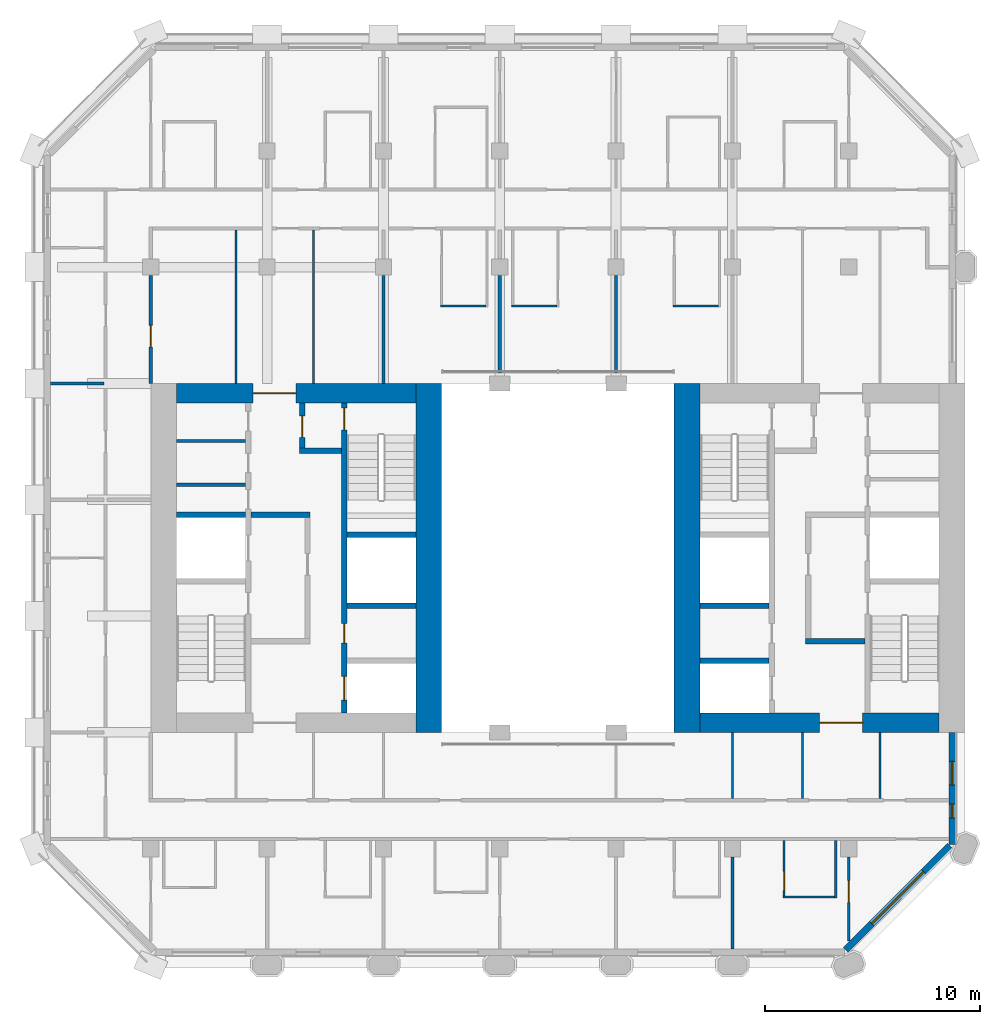
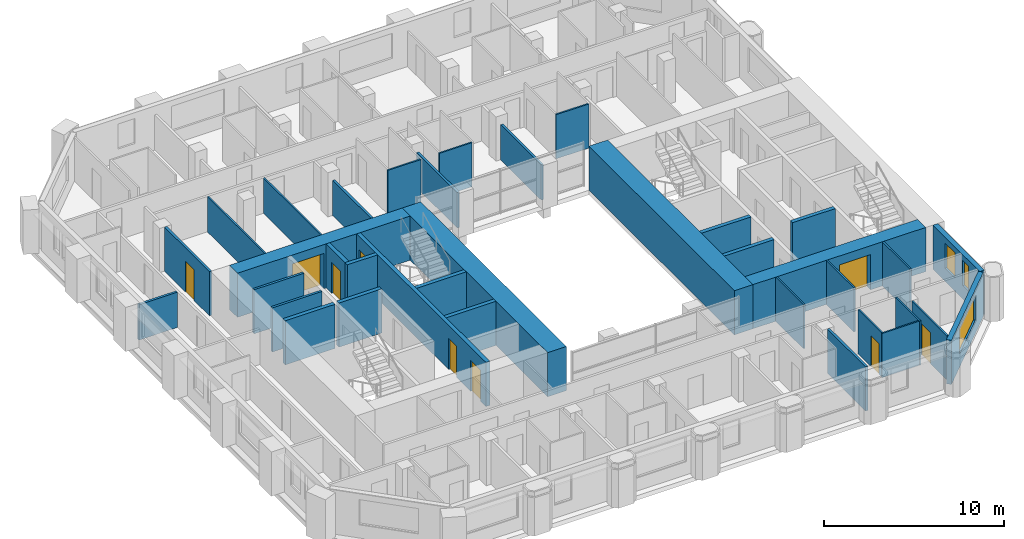
# One storey, part 8 of 13: 36 walls, 9 doors, 3 windows, 12 openings.
"""IFC4 building model written with IfcOpenShell, lengths in metres."""

from ifc_helpers import new_model, si_unit, direction, frame, frame_2d, origin, place, context, subcontext, project, spatial, rectangle, extrude, material, layer, layer_set, type_object, element, fill, save


model = new_model("IFC4")

# Units and contexts
model_context = context("Model", 3, precision=1e-05, world=origin(), true_north=direction((0.0, 1.0)))
body_context = subcontext(model_context, "Body", "Model", "MODEL_VIEW")
ifc_project = project(units=[si_unit("LENGTHUNIT", "METRE"), si_unit("AREAUNIT", "SQUARE_METRE"), si_unit("VOLUMEUNIT", "CUBIC_METRE"), si_unit("PLANEANGLEUNIT", "RADIAN"), si_unit("MASSUNIT", "GRAM", prefix="KILO")], contexts=[model_context])

# Site, building, storey
site_placement = place(None, origin())
site = spatial("IfcSite", under=ifc_project, at=site_placement, CompositionType="ELEMENT")
building_placement = place(site_placement, origin())
building = spatial("IfcBuilding", under=site, at=building_placement, Name="Tabaq Tower and Sports Hall", CompositionType="ELEMENT")
storey_placement = place(building_placement, frame((0.0, 0.0, 220.300048828125)))
storey = spatial("IfcBuildingStorey", under=building, at=storey_placement, Name="L55", CompositionType="ELEMENT", Elevation=220.300048828125)

# Walls
ifc_material_1 = material(Name="Blockwork", Category="masonry")
ifc_layer_1 = layer(ifc_material_1, 0.14990234375)
ifc_layer_set_1 = layer_set([ifc_layer_1], Name="Core room partition 150 Blockwork")
wall_type_1 = type_object("IfcWallType", Name="Core room partition 150 Blockwork", PredefinedType="PARTITIONING", material=ifc_layer_set_1)
for number, where, z_axis, x_axis, name in (
    (1, (6.60009765625, 27.694091796875, 0.0), (0.0, 0.0, 1.0), (1.0, 0.0, 0.0), "Core room partition W L55"),
    (2, (6.60009765625, 29.72412109375, 0.0), (0.0, 0.0, 1.0), (1.0, 0.0, 0.0), "Core room partition W L55"),
):
    element("IfcWall", number, at=place(storey_placement, frame(where, z_axis=z_axis, x_axis=x_axis)), inside=storey, type_object=wall_type_1, Name=name, PredefinedType="PARTITIONING", context=body_context, shape_type="SweptSolid", body=[
        extrude(rectangle(XDim=3.199951171875, YDim=0.14990234375, at=frame_2d((1.60009765625, 0.0))), origin(), (0.0, 0.0, 1.0), 3.0),
    ])
ifc_material_2 = material(Name="Concrete C50/60", Category="concrete")
ifc_layer_2 = layer(ifc_material_2, 1.199951171875)
ifc_layer_set_2 = layer_set([ifc_layer_2], Name="Core wall 1200 Concrete C50/60")
wall_type_2 = type_object("IfcWallType", Name="Core wall 1200 Concrete C50/60", PredefinedType="SOLIDWALL", material=ifc_layer_set_2)
for number, where, z_axis, x_axis, name in (
    (3, (18.300048828125, 32.39990234375, 0.0), (0.0, 0.0, 1.0), (0.0, -1.0, 0.0), "Core wall W L55"),
    (4, (30.300048828125, 16.199951171875, 0.0), (0.0, 0.0, 1.0), (0.0, 1.0, 0.0), "Core wall E L55"),
):
    element("IfcWall", number, at=place(storey_placement, frame(where, z_axis=z_axis, x_axis=x_axis)), inside=storey, type_object=wall_type_2, Name=name, PredefinedType="SOLIDWALL", context=body_context, shape_type="SweptSolid", body=[
        extrude(rectangle(XDim=16.199951171875, YDim=1.199951171875, at=frame_2d((8.10009765625, 0.0))), origin(), (0.0, 0.0, 1.0), 3.0),
    ])

# Wall, opening, door
ifc_material_3 = material(Name="Concrete C50/60", Category="concrete")
ifc_layer_3 = layer(ifc_material_3, 0.89990234375)
ifc_layer_set_3 = layer_set([ifc_layer_3], Name="Core wall 900 Concrete C50/60")
wall_type_3 = type_object("IfcWallType", Name="Core wall 900 Concrete C50/60", PredefinedType="SOLIDWALL", material=ifc_layer_set_3)
wall_1_placement = place(storey_placement, frame((6.60009765625, 31.949951171875, 0.0), z_axis=(0.0, 0.0, 1.0), x_axis=(1.0, 0.0, 0.0)))
wall_1 = element("IfcWall", 5, at=wall_1_placement, inside=storey, type_object=wall_type_3, Name="Core wall W L55", PredefinedType="SOLIDWALL", context=body_context, shape_type="SweptSolid", body=[
    extrude(rectangle(XDim=11.099853515625, YDim=0.89990234375, at=frame_2d((5.5498046875, 0.0))), origin(), (0.0, 0.0, 1.0), 3.0),
])
opening_1_placement = place(wall_1_placement, frame((3.550048828125, 0.0, 0.0)))
opening_1 = element("IfcOpeningElement", 6, at=opening_1_placement, cuts=wall_1, Name="Opening PD-WL55-02", PredefinedType="OPENING", context=body_context, shape_type="SweptSolid", body=[
    extrude(rectangle(XDim=2.0, YDim=2.39990234375, at=frame_2d((1.0, 1.199951171875))), frame((0.0, 0.449951171875, 0.0), z_axis=(0.0, -1.0, 0.0), x_axis=(1.0, 0.0, 0.0)), (0.0, 0.0, 1.0), 0.89990234375),
])
ifc_material_4 = material(Name="Steel fire door", Category="steel")
door_type_1 = type_object("IfcDoorType", Name="Core entrance door 2000", OperationType="DOUBLE_DOOR_SINGLE_SWING", PredefinedType="DOOR", material=ifc_material_4)
door_1_placement = place(opening_1_placement, origin())
door_1 = element("IfcDoor", 7, at=door_1_placement, inside=storey, type_object=door_type_1, Name="Core entrance north W L55", OperationType="DOUBLE_DOOR_SINGLE_SWING", OverallHeight=2.39990234375, OverallWidth=2.0, PredefinedType="DOOR", context=body_context, shape_type="SweptSolid", body=[
    extrude(rectangle(XDim=2.0, YDim=2.39990234375, at=frame_2d((1.0, 1.199951171875))), frame((0.0, 0.02490234375, 0.0), z_axis=(0.0, -1.0, 0.0), x_axis=(1.0, 0.0, 0.0)), (0.0, 0.0, 1.0), 0.050048828125),
])
fill(opening_1, door_1)

wall_2_placement = place(storey_placement, frame((42.0, 16.64990234375, 0.0), z_axis=(0.0, 0.0, 1.0), x_axis=(-1.0, 0.0, 0.0)))
wall_2 = element("IfcWall", 8, at=wall_2_placement, inside=storey, type_object=wall_type_3, Name="Core wall E L55", PredefinedType="SOLIDWALL", context=body_context, shape_type="SweptSolid", body=[
    extrude(rectangle(XDim=11.10009765625, YDim=0.89990234375, at=frame_2d((5.550048828125, 0.0))), origin(), (0.0, 0.0, 1.0), 3.0),
])
opening_2_placement = place(wall_2_placement, frame((3.550048828125, 0.0, 0.0)))
opening_2 = element("IfcOpeningElement", 9, at=opening_2_placement, cuts=wall_2, Name="Opening PD-EL55-01", PredefinedType="OPENING", context=body_context, shape_type="SweptSolid", body=[
    extrude(rectangle(XDim=2.0, YDim=2.39990234375, at=frame_2d((1.0, 1.199951171875))), frame((0.0, 0.449951171875, 0.0), z_axis=(0.0, -1.0, 0.0), x_axis=(1.0, 0.0, 0.0)), (0.0, 0.0, 1.0), 0.89990234375),
])
door_2_placement = place(opening_2_placement, origin())
door_2 = element("IfcDoor", 10, at=door_2_placement, inside=storey, type_object=door_type_1, Name="Core entrance south E L55", OperationType="DOUBLE_DOOR_SINGLE_SWING", OverallHeight=2.39990234375, OverallWidth=2.0, PredefinedType="DOOR", context=body_context, shape_type="SweptSolid", body=[
    extrude(rectangle(XDim=2.0, YDim=2.39990234375, at=frame_2d((1.0, 1.199951171875))), frame((0.0, 0.02490234375, 0.0), z_axis=(0.0, -1.0, 0.0), x_axis=(1.0, 0.0, 0.0)), (0.0, 0.0, 1.0), 0.050048828125),
])
fill(opening_2, door_2)

# Walls
ifc_material_5 = material(Name="Gypsum board on steel studs", Category="steel")
ifc_layer_4 = layer(ifc_material_5, 0.10009765625)
ifc_layer_set_4 = layer_set([ifc_layer_4], Name="Partition 100 Gypsum board")
wall_type_4 = type_object("IfcWallType", Name="Partition 100 Gypsum board", PredefinedType="PARTITIONING", material=ifc_layer_set_4)
for number, where, z_axis, x_axis, name in (
    (11, (31.75, 36.0, 0.0), (0.0, 0.0, 1.0), (-1.0, 0.0, 0.0), "Partition wall L55"),
    (12, (24.25, 36.0, 0.0), (0.0, 0.0, 1.0), (-1.0, 0.0, 0.0), "Partition wall L55"),
):
    element("IfcWall", number, at=place(storey_placement, frame(where, z_axis=z_axis, x_axis=x_axis)), inside=storey, type_object=wall_type_4, Name=name, PredefinedType="PARTITIONING", context=body_context, shape_type="SweptSolid", body=[
        extrude(rectangle(XDim=2.10009765625, YDim=0.10009765625, at=frame_2d((1.050048828125, 0.0))), origin(), (0.0, 0.0, 1.0), 3.0),
    ])
wall_3_placement = place(storey_placement, frame((20.949951171875, 36.0, 0.0), z_axis=(0.0, 0.0, 1.0), x_axis=(-1.0, 0.0, 0.0)))
element("IfcWall", 13, at=wall_3_placement, inside=storey, type_object=wall_type_4, Name="Partition wall L55", PredefinedType="PARTITIONING", context=body_context, shape_type="SweptSolid", body=[
    extrude(rectangle(XDim=2.099853515625, YDim=0.10009765625, at=frame_2d((1.0498046875, 0.0))), origin(), (0.0, 0.0, 1.0), 3.0),
])
for number, where, z_axis, x_axis, name in (
    (14, (12.949951171875, 32.39990234375, 0.0), (0.0, 0.0, 1.0), (0.0, 1.0, 0.0), "Partition wall L55"),
    (15, (9.35009765625, 39.52490234375, 0.0), (0.0, 0.0, 1.0), (0.0, -1.0, 0.0), "Partition wall L55"),
):
    element("IfcWall", number, at=place(storey_placement, frame(where, z_axis=z_axis, x_axis=x_axis)), inside=storey, type_object=wall_type_4, Name=name, PredefinedType="PARTITIONING", context=body_context, shape_type="SweptSolid", body=[
        extrude(rectangle(XDim=7.125, YDim=0.10009765625, at=frame_2d((3.5625, 0.0))), origin(), (0.0, 0.0, 1.0), 2.39990234375),
    ])

# Wall, opening, door
wall_4_placement = place(storey_placement, frame((37.800048828125, 6.51220703125, 0.0), z_axis=(0.0, 0.0, 1.0), x_axis=(0.0, 1.0, 0.0)))
wall_4 = element("IfcWall", 16, at=wall_4_placement, inside=storey, type_object=wall_type_4, Name="Partition wall L55", PredefinedType="PARTITIONING", context=body_context, shape_type="SweptSolid", body=[
    extrude(rectangle(XDim=3.892822265625, YDim=0.10009765625, at=frame_2d((1.9462890625, 0.0))), origin(), (0.0, 0.0, 1.0), 3.0),
])
opening_3_placement = place(wall_4_placement, frame((1.80029296875, 0.0, 0.0)))
opening_3 = element("IfcOpeningElement", 17, at=opening_3_placement, cuts=wall_4, Name="Opening L55-041", PredefinedType="OPENING", context=body_context, shape_type="SweptSolid", body=[
    extrude(rectangle(XDim=1.0, YDim=2.10009765625, at=frame_2d((0.5, 1.050048828125))), frame((0.0, 0.050048828125, 0.0), z_axis=(0.0, -1.0, 0.0), x_axis=(1.0, 0.0, 0.0)), (0.0, 0.0, 1.0), 0.10009765625),
])
ifc_material_6 = material(Name="Timber leaf in steel frame", Category="steel")
door_type_2 = type_object("IfcDoorType", Name="Internal door 1000 left hand", OperationType="SINGLE_SWING_LEFT", PredefinedType="DOOR", material=ifc_material_6)
door_3_placement = place(opening_3_placement, origin())
door_3 = element("IfcDoor", 18, at=door_3_placement, inside=storey, type_object=door_type_2, Name="Internal door L55-041", OperationType="SINGLE_SWING_LEFT", OverallHeight=2.10009765625, OverallWidth=1.0, PredefinedType="DOOR", context=body_context, shape_type="SweptSolid", body=[
    extrude(rectangle(XDim=1.0, YDim=2.10009765625, at=frame_2d((0.5, 1.050048828125))), frame((0.0, 0.02490234375, 0.0), z_axis=(0.0, -1.0, 0.0), x_axis=(1.0, 0.0, 0.0)), (0.0, 0.0, 1.0), 0.050048828125),
])
fill(opening_3, door_3)

# Walls
wall_5_placement = place(storey_placement, frame((37.199951171875, 11.175048828125, 0.0), z_axis=(0.0, 0.0, 1.0), x_axis=(0.0, -1.0, 0.0)))
element("IfcWall", 19, at=wall_5_placement, inside=storey, type_object=wall_type_4, Name="Partition wall L55", PredefinedType="PARTITIONING", context=body_context, shape_type="SweptSolid", body=[
    extrude(rectangle(XDim=2.675048828125, YDim=0.10009765625, at=frame_2d((1.33740234375, 0.0))), origin(), (0.0, 0.0, 1.0), 3.0),
])
wall_6_placement = place(storey_placement, frame((37.14990234375, 8.550048828125, 0.0), z_axis=(0.0, 0.0, 1.0), x_axis=(-1.0, 0.0, 0.0)))
element("IfcWall", 20, at=wall_6_placement, inside=storey, type_object=wall_type_4, Name="Partition wall L55", PredefinedType="PARTITIONING", context=body_context, shape_type="SweptSolid", body=[
    extrude(rectangle(XDim=2.39990234375, YDim=0.10009765625, at=frame_2d((1.199951171875, 0.0))), origin(), (0.0, 0.0, 1.0), 3.0),
])

# Wall, opening, door
wall_7_placement = place(storey_placement, frame((34.800048828125, 8.60009765625, 0.0), z_axis=(0.0, 0.0, 1.0), x_axis=(0.0, 1.0, 0.0)))
wall_7 = element("IfcWall", 21, at=wall_7_placement, inside=storey, type_object=wall_type_4, Name="Partition wall L55", PredefinedType="PARTITIONING", context=body_context, shape_type="SweptSolid", body=[
    extrude(rectangle(XDim=2.574951171875, YDim=0.10009765625, at=frame_2d((1.28759765625, 0.0))), origin(), (0.0, 0.0, 1.0), 3.0),
])
opening_4_placement = place(wall_7_placement, frame((0.25, 0.0, 0.0)))
opening_4 = element("IfcOpeningElement", 22, at=opening_4_placement, cuts=wall_7, Name="Opening L55-016", PredefinedType="OPENING", context=body_context, shape_type="SweptSolid", body=[
    extrude(rectangle(XDim=0.89990234375, YDim=2.10009765625, at=frame_2d((0.449951171875, 1.050048828125))), frame((0.0, 0.050048828125, 0.0), z_axis=(0.0, -1.0, 0.0), x_axis=(1.0, 0.0, 0.0)), (0.0, 0.0, 1.0), 0.10009765625),
])
ifc_material_7 = material(Name="Timber leaf in steel frame", Category="steel")
door_type_3 = type_object("IfcDoorType", Name="Internal door 900 left hand", OperationType="SINGLE_SWING_LEFT", PredefinedType="DOOR", material=ifc_material_7)
door_4_placement = place(opening_4_placement, origin())
door_4 = element("IfcDoor", 23, at=door_4_placement, inside=storey, type_object=door_type_3, Name="Internal door L55-016", OperationType="SINGLE_SWING_LEFT", OverallHeight=2.10009765625, OverallWidth=0.89990234375, PredefinedType="DOOR", context=body_context, shape_type="SweptSolid", body=[
    extrude(rectangle(XDim=0.89990234375, YDim=2.10009765625, at=frame_2d((0.449951171875, 1.050048828125))), frame((0.0, 0.02490234375, 0.0), z_axis=(0.0, -1.0, 0.0), x_axis=(1.0, 0.0, 0.0)), (0.0, 0.0, 1.0), 0.050048828125),
])
fill(opening_4, door_4)

# Walls
for number, where, z_axis, x_axis, name in (
    (24, (32.39990234375, 13.125, 0.0), (0.0, 0.0, 1.0), (0.0, 1.0, 0.0), "Partition wall L55"),
    (25, (39.25, 13.125, 0.0), (0.0, 0.0, 1.0), (0.0, 1.0, 0.0), "Partition wall L55"),
    (26, (35.64990234375, 16.199951171875, 0.0), (0.0, 0.0, 1.0), (0.0, -1.0, 0.0), "Partition wall L55"),
):
    element("IfcWall", number, at=place(storey_placement, frame(where, z_axis=z_axis, x_axis=x_axis)), inside=storey, type_object=wall_type_4, Name=name, PredefinedType="PARTITIONING", context=body_context, shape_type="SweptSolid", body=[
        extrude(rectangle(XDim=3.074951171875, YDim=0.10009765625, at=frame_2d((1.53759765625, 0.0))), origin(), (0.0, 0.0, 1.0), 3.0),
    ])
ifc_material_8 = material(Name="Blockwork", Category="masonry")
ifc_layer_5 = layer(ifc_material_8, 0.14990234375)
ifc_layer_set_5 = layer_set([ifc_layer_5], Name="Separating wall 150 Blockwork")
wall_type_5 = type_object("IfcWallType", Name="Separating wall 150 Blockwork", PredefinedType="PARTITIONING", material=ifc_layer_set_5)
for number, where, z_axis, x_axis, name in (
    (27, (27.0, 37.405029296875, 0.0), (0.0, 0.0, 1.0), (0.0, -1.0, 0.0), "Separating wall L55"),
    (28, (21.60009765625, 37.405029296875, 0.0), (0.0, 0.0, 1.0), (0.0, -1.0, 0.0), "Separating wall L55"),
):
    element("IfcWall", number, at=place(storey_placement, frame(where, z_axis=z_axis, x_axis=x_axis)), inside=storey, type_object=wall_type_5, Name=name, PredefinedType="PARTITIONING", context=body_context, shape_type="SweptSolid", body=[
        extrude(rectangle(XDim=4.510009765625, YDim=0.14990234375, at=frame_2d((2.2548828125, 0.0))), origin(), (0.0, 0.0, 1.0), 2.39990234375),
    ])
wall_8_placement = place(storey_placement, frame((16.199951171875, 37.405029296875, 0.0), z_axis=(0.0, 0.0, 1.0), x_axis=(0.0, -1.0, 0.0)))
element("IfcWall", 29, at=wall_8_placement, inside=storey, type_object=wall_type_5, Name="Separating wall L55", PredefinedType="PARTITIONING", context=body_context, shape_type="SweptSolid", body=[
    extrude(rectangle(XDim=5.005126953125, YDim=0.14990234375, at=frame_2d((2.50244140625, 0.0))), origin(), (0.0, 0.0, 1.0), 2.39990234375),
])
wall_9_placement = place(storey_placement, frame((0.7509765625, 32.39990234375, 0.0), z_axis=(0.0, 0.0, 1.0), x_axis=(1.0, 0.0, 0.0)))
element("IfcWall", 30, at=wall_9_placement, inside=storey, type_object=wall_type_5, Name="Separating wall L55", PredefinedType="PARTITIONING", context=body_context, shape_type="SweptSolid", body=[
    extrude(rectangle(XDim=2.47412109375, YDim=0.14990234375, at=frame_2d((1.237060546875, 0.0))), origin(), (0.0, 0.0, 1.0), 2.39990234375),
])

# Wall, opening, door
wall_10_placement = place(storey_placement, frame((5.39990234375, 32.39990234375, 0.0), z_axis=(0.0, 0.0, 1.0), x_axis=(0.0, 1.0, 0.0)))
wall_10 = element("IfcWall", 31, at=wall_10_placement, inside=storey, type_object=wall_type_5, Name="Separating wall L55", PredefinedType="PARTITIONING", context=body_context, shape_type="SweptSolid", body=[
    extrude(rectangle(XDim=5.005126953125, YDim=0.14990234375, at=frame_2d((2.50244140625, 0.0))), origin(), (0.0, 0.0, 1.0), 3.0),
])
opening_5_placement = place(wall_10_placement, frame((1.699951171875, 0.0, 0.0)))
opening_5 = element("IfcOpeningElement", 32, at=opening_5_placement, cuts=wall_10, Name="Opening L55-013", PredefinedType="OPENING", context=body_context, shape_type="SweptSolid", body=[
    extrude(rectangle(XDim=1.0, YDim=2.10009765625, at=frame_2d((0.5, 1.050048828125))), frame((0.0, 0.074951171875, 0.0), z_axis=(0.0, -1.0, 0.0), x_axis=(1.0, 0.0, 0.0)), (0.0, 0.0, 1.0), 0.14990234375),
])
door_5_placement = place(opening_5_placement, origin())
door_5 = element("IfcDoor", 33, at=door_5_placement, inside=storey, type_object=door_type_2, Name="Internal door L55-013", OperationType="SINGLE_SWING_LEFT", OverallHeight=2.10009765625, OverallWidth=1.0, PredefinedType="DOOR", context=body_context, shape_type="SweptSolid", body=[
    extrude(rectangle(XDim=1.0, YDim=2.10009765625, at=frame_2d((0.5, 1.050048828125))), frame((0.0, 0.02490234375, 0.0), z_axis=(0.0, -1.0, 0.0), x_axis=(1.0, 0.0, 0.0)), (0.0, 0.0, 1.0), 0.050048828125),
])
fill(opening_5, door_5)

# Wall
wall_11_placement = place(storey_placement, frame((32.39990234375, 10.405029296875, 0.0), z_axis=(0.0, 0.0, 1.0), x_axis=(0.0, -1.0, 0.0)))
element("IfcWall", 34, at=wall_11_placement, inside=storey, type_object=wall_type_5, Name="Separating wall L55", PredefinedType="PARTITIONING", context=body_context, shape_type="SweptSolid", body=[
    extrude(rectangle(XDim=4.254150390625, YDim=0.14990234375, at=frame_2d((2.126953125, 0.0))), origin(), (0.0, 0.0, 1.0), 3.0),
])

# Wall, openings, doors
ifc_material_9 = material(Name="Concrete C40/50", Category="concrete")
ifc_layer_6 = layer(ifc_material_9, 0.25)
ifc_layer_set_6 = layer_set([ifc_layer_6], Name="Shaft and stair wall 250 Concrete C40/50")
wall_type_6 = type_object("IfcWallType", Name="Shaft and stair wall 250 Concrete C40/50", PredefinedType="SOLIDWALL", material=ifc_layer_set_6)
wall_12_placement = place(storey_placement, frame((14.375, 17.10009765625, 0.0), z_axis=(0.0, 0.0, 1.0), x_axis=(0.0, 1.0, 0.0)))
wall_12 = element("IfcWall", 35, at=wall_12_placement, inside=storey, type_object=wall_type_6, Name="Shaft wall W L55", PredefinedType="SOLIDWALL", context=body_context, shape_type="SweptSolid", body=[
    extrude(rectangle(XDim=14.39990234375, YDim=0.25, at=frame_2d((7.199951171875, 0.0))), origin(), (0.0, 0.0, 1.0), 3.0),
])
opening_6_placement = place(wall_12_placement, frame((13.14990234375, 0.0, 0.0)))
opening_6 = element("IfcOpeningElement", 36, at=opening_6_placement, cuts=wall_12, Name="Opening SD-WL55-05", PredefinedType="OPENING", context=body_context, shape_type="SweptSolid", body=[
    extrude(rectangle(XDim=1.0, YDim=2.10009765625, at=frame_2d((0.5, 1.050048828125))), frame((0.0, 0.125, 0.0), z_axis=(0.0, -1.0, 0.0), x_axis=(1.0, 0.0, 0.0)), (0.0, 0.0, 1.0), 0.25),
])
opening_7_placement = place(wall_12_placement, frame((0.60009765625, 0.0, 0.0)))
opening_7 = element("IfcOpeningElement", 37, at=opening_7_placement, cuts=wall_12, Name="Opening LD-MR1-L55", PredefinedType="OPENING", context=body_context, shape_type="SweptSolid", body=[
    extrude(rectangle(XDim=1.10009765625, YDim=2.10009765625, at=frame_2d((0.550048828125, 1.050048828125))), frame((0.0, 0.125, 0.0), z_axis=(0.0, -1.0, 0.0), x_axis=(1.0, 0.0, 0.0)), (0.0, 0.0, 1.0), 0.25),
])
opening_8_placement = place(wall_12_placement, frame((3.25, 0.0, 0.0)))
opening_8 = element("IfcOpeningElement", 38, at=opening_8_placement, cuts=wall_12, Name="Opening RD-WL55-12", PredefinedType="OPENING", context=body_context, shape_type="SweptSolid", body=[
    extrude(rectangle(XDim=0.89990234375, YDim=2.10009765625, at=frame_2d((0.449951171875, 1.050048828125))), frame((0.0, 0.125, 0.0), z_axis=(0.0, -1.0, 0.0), x_axis=(1.0, 0.0, 0.0)), (0.0, 0.0, 1.0), 0.25),
])
ifc_material_10 = material(Name="Steel fire door", Category="steel")
door_type_4 = type_object("IfcDoorType", Name="Core room door 900", OperationType="SINGLE_SWING_LEFT", PredefinedType="DOOR", material=ifc_material_10)
door_6_placement = place(opening_8_placement, origin())
door_6 = element("IfcDoor", 39, at=door_6_placement, inside=storey, type_object=door_type_4, Name="Door Cleaner's Store W L55", OperationType="SINGLE_SWING_LEFT", OverallHeight=2.10009765625, OverallWidth=0.89990234375, PredefinedType="DOOR", context=body_context, shape_type="SweptSolid", body=[
    extrude(rectangle(XDim=0.89990234375, YDim=2.10009765625, at=frame_2d((0.449951171875, 1.050048828125))), frame((0.0, 0.02490234375, 0.0), z_axis=(0.0, -1.0, 0.0), x_axis=(1.0, 0.0, 0.0)), (0.0, 0.0, 1.0), 0.050048828125),
])
fill(opening_8, door_6)
ifc_material_11 = material(Name="Stainless steel", Category="steel")
door_type_5 = type_object("IfcDoorType", Name="Lift landing door 1100", OperationType="DOUBLE_DOOR_SLIDING", PredefinedType="DOOR", material=ifc_material_11)
door_7_placement = place(opening_7_placement, origin())
door_7 = element("IfcDoor", 40, at=door_7_placement, inside=storey, type_object=door_type_5, Name="Lift landing door MR1 W L55", OperationType="DOUBLE_DOOR_SLIDING", OverallHeight=2.10009765625, OverallWidth=1.10009765625, PredefinedType="DOOR", context=body_context, shape_type="SweptSolid", body=[
    extrude(rectangle(XDim=1.10009765625, YDim=2.10009765625, at=frame_2d((0.550048828125, 1.050048828125))), frame((0.0, 0.02490234375, 0.0), z_axis=(0.0, -1.0, 0.0), x_axis=(1.0, 0.0, 0.0)), (0.0, 0.0, 1.0), 0.050048828125),
])
fill(opening_7, door_7)
ifc_material_12 = material(Name="Steel fire door", Category="steel")
door_type_6 = type_object("IfcDoorType", Name="Stair door 1000", OperationType="SINGLE_SWING_LEFT", PredefinedType="DOOR", material=ifc_material_12)
door_8_placement = place(opening_6_placement, origin())
door_8 = element("IfcDoor", 41, at=door_8_placement, inside=storey, type_object=door_type_6, Name="Stair door ST2 W L55", OperationType="SINGLE_SWING_LEFT", OverallHeight=2.10009765625, OverallWidth=1.0, PredefinedType="DOOR", context=body_context, shape_type="SweptSolid", body=[
    extrude(rectangle(XDim=1.0, YDim=2.10009765625, at=frame_2d((0.5, 1.050048828125))), frame((0.0, 0.02490234375, 0.0), z_axis=(0.0, -1.0, 0.0), x_axis=(1.0, 0.0, 0.0)), (0.0, 0.0, 1.0), 0.050048828125),
])
fill(opening_6, door_8)

# Walls
for number, where, z_axis, x_axis, name in (
    (42, (14.5, 25.375, 0.0), (0.0, 0.0, 1.0), (1.0, 0.0, 0.0), "Stair enclosure wall W L55"),
    (43, (14.5, 22.074951171875, 0.0), (0.0, 0.0, 1.0), (1.0, 0.0, 0.0), "Shaft wall W L55"),
    (44, (6.60009765625, 26.300048828125, 0.0), (0.0, 0.0, 1.0), (1.0, 0.0, 0.0), "Shaft wall W L55"),
):
    element("IfcWall", number, at=place(storey_placement, frame(where, z_axis=z_axis, x_axis=x_axis)), inside=storey, type_object=wall_type_6, Name=name, PredefinedType="SOLIDWALL", context=body_context, shape_type="SweptSolid", body=[
        extrude(rectangle(XDim=3.199951171875, YDim=0.25, at=frame_2d((1.60009765625, 0.0))), origin(), (0.0, 0.0, 1.0), 3.0),
    ])
wall_13_placement = place(storey_placement, frame((10.050048828125, 26.300048828125, 0.0), z_axis=(0.0, 0.0, 1.0), x_axis=(1.0, 0.0, 0.0)))
element("IfcWall", 45, at=wall_13_placement, inside=storey, type_object=wall_type_6, Name="Fire-fighting lobby wall W L55", PredefinedType="SOLIDWALL", context=body_context, shape_type="SweptSolid", body=[
    extrude(rectangle(XDim=2.75, YDim=0.25, at=frame_2d((1.375, 0.0))), origin(), (0.0, 0.0, 1.0), 3.0),
])

# Wall, opening, door
wall_14_placement = place(storey_placement, frame((12.425048828125, 29.39990234375, 0.0), z_axis=(0.0, 0.0, 1.0), x_axis=(0.0, 1.0, 0.0)))
wall_14 = element("IfcWall", 46, at=wall_14_placement, inside=storey, type_object=wall_type_6, Name="Fire-fighting lobby wall W L55", PredefinedType="SOLIDWALL", context=body_context, shape_type="SweptSolid", body=[
    extrude(rectangle(XDim=2.10009765625, YDim=0.25, at=frame_2d((1.050048828125, 0.0))), origin(), (0.0, 0.0, 1.0), 3.0),
])
opening_9_placement = place(wall_14_placement, frame((0.5, 0.0, 0.0)))
opening_9 = element("IfcOpeningElement", 47, at=opening_9_placement, cuts=wall_14, Name="Opening FD-WL55-06", PredefinedType="OPENING", context=body_context, shape_type="SweptSolid", body=[
    extrude(rectangle(XDim=1.0, YDim=2.10009765625, at=frame_2d((0.5, 1.050048828125))), frame((0.0, 0.125, 0.0), z_axis=(0.0, -1.0, 0.0), x_axis=(1.0, 0.0, 0.0)), (0.0, 0.0, 1.0), 0.25),
])
ifc_material_13 = material(Name="Steel fire door", Category="steel")
door_type_7 = type_object("IfcDoorType", Name="Fire-fighting lobby door 1000", OperationType="SINGLE_SWING_LEFT", PredefinedType="DOOR", material=ifc_material_13)
door_9_placement = place(opening_9_placement, origin())
door_9 = element("IfcDoor", 48, at=door_9_placement, inside=storey, type_object=door_type_7, Name="Stair lobby door W L55", OperationType="SINGLE_SWING_LEFT", OverallHeight=2.10009765625, OverallWidth=1.0, PredefinedType="DOOR", context=body_context, shape_type="SweptSolid", body=[
    extrude(rectangle(XDim=1.0, YDim=2.10009765625, at=frame_2d((0.5, 1.050048828125))), frame((0.0, 0.02490234375, 0.0), z_axis=(0.0, -1.0, 0.0), x_axis=(1.0, 0.0, 0.0)), (0.0, 0.0, 1.0), 0.050048828125),
])
fill(opening_9, door_9)

# Walls
wall_15_placement = place(storey_placement, frame((12.300048828125, 29.27490234375, 0.0), z_axis=(0.0, 0.0, 1.0), x_axis=(1.0, 0.0, 0.0)))
element("IfcWall", 49, at=wall_15_placement, inside=storey, type_object=wall_type_6, Name="Fire-fighting lobby wall W L55", PredefinedType="SOLIDWALL", context=body_context, shape_type="SweptSolid", body=[
    extrude(rectangle(XDim=1.949951171875, YDim=0.25, at=frame_2d((0.97509765625, 0.0))), origin(), (0.0, 0.0, 1.0), 3.0),
])
wall_16_placement = place(storey_placement, frame((30.89990234375, 22.074951171875, 0.0), z_axis=(0.0, 0.0, 1.0), x_axis=(1.0, 0.0, 0.0)))
element("IfcWall", 50, at=wall_16_placement, inside=storey, type_object=wall_type_6, Name="Shaft wall E L55", PredefinedType="SOLIDWALL", context=body_context, shape_type="SweptSolid", body=[
    extrude(rectangle(XDim=3.2001953125, YDim=0.25, at=frame_2d((1.60009765625, 0.0))), origin(), (0.0, 0.0, 1.0), 3.0),
])
wall_17_placement = place(storey_placement, frame((35.800048828125, 20.425048828125, 0.0), z_axis=(0.0, 0.0, 1.0), x_axis=(1.0, 0.0, 0.0)))
element("IfcWall", 51, at=wall_17_placement, inside=storey, type_object=wall_type_6, Name="Fire-fighting lobby wall E L55", PredefinedType="SOLIDWALL", context=body_context, shape_type="SweptSolid", body=[
    extrude(rectangle(XDim=2.75, YDim=0.25, at=frame_2d((1.375, 0.0))), origin(), (0.0, 0.0, 1.0), 3.0),
])
wall_18_placement = place(storey_placement, frame((30.89990234375, 19.52490234375, 0.0), z_axis=(0.0, 0.0, 1.0), x_axis=(1.0, 0.0, 0.0)))
element("IfcWall", 52, at=wall_18_placement, inside=storey, type_object=wall_type_6, Name="Shaft wall E L55", PredefinedType="SOLIDWALL", context=body_context, shape_type="SweptSolid", body=[
    extrude(rectangle(XDim=3.2001953125, YDim=0.25, at=frame_2d((1.60009765625, 0.0))), origin(), (0.0, 0.0, 1.0), 3.0),
])

# Wall, opening, window
ifc_material_14 = material(Name="White precast concrete C60/75", Category="concrete")
ifc_layer_7 = layer(ifc_material_14, 0.300048828125)
ifc_layer_set_7 = layer_set([ifc_layer_7], Name="White precast concrete C60/75 external wall 300")
wall_type_7 = type_object("IfcWallType", Name="White precast concrete C60/75 external wall 300", PredefinedType="SOLIDWALL", material=ifc_layer_set_7)
wall_19_placement = place(storey_placement, frame((37.650390625, 6.098876953125, 0.0), z_axis=(0.0, 0.0, 1.0), x_axis=(0.707106781187, 0.707106781187, 0.0)))
wall_19 = element("IfcWall", 53, at=wall_19_placement, inside=storey, type_object=wall_type_7, Name="External Wall L55 SE", PredefinedType="SOLIDWALL", context=body_context, shape_type="SweptSolid", body=[
    extrude(rectangle(XDim=6.85986328125, YDim=0.300048828125, at=frame_2d((3.429931640625, 0.0))), origin(), (0.0, 0.0, 1.0), 3.0),
])
opening_10_placement = place(wall_19_placement, frame((1.729736328125, 0.0, 0.89990234375)))
opening_10 = element("IfcOpeningElement", 54, at=opening_10_placement, cuts=wall_19, Name="Opening W1A", PredefinedType="OPENING", context=body_context, shape_type="SweptSolid", body=[
    extrude(rectangle(XDim=3.39990234375, YDim=1.699951171875, at=frame_2d((1.699951171875, 0.85009765625))), frame((0.0, 0.16015625, 0.0), z_axis=(0.0, -1.0, 0.0), x_axis=(1.0, 0.0, 0.0)), (0.0, 0.0, 1.0), 0.320068359375),
])
ifc_material_15 = material(Name="Aluminium framed clear glazing", Category="aluminium")
window_type_1 = type_object("IfcWindowType", Name="Window W1A", PartitioningType="SINGLE_PANEL", PredefinedType="WINDOW", material=ifc_material_15)
window_1_placement = place(opening_10_placement, origin())
window_1 = element("IfcWindow", 55, at=window_1_placement, inside=storey, type_object=window_type_1, Name="Window W1A L55", OverallHeight=1.699951171875, OverallWidth=3.39990234375, PartitioningType="SINGLE_PANEL", PredefinedType="WINDOW", context=body_context, shape_type="SweptSolid", body=[
    extrude(rectangle(XDim=3.39990234375, YDim=1.699951171875, at=frame_2d((1.699951171875, 0.85009765625))), frame((0.0, 0.030029296875, 0.0), z_axis=(0.0, -1.0, 0.0), x_axis=(1.0, 0.0, 0.0)), (0.0, 0.0, 1.0), 0.06005859375),
])
fill(opening_10, window_1)

# Wall, openings, windows
wall_20_placement = place(storey_placement, frame((42.60009765625, 10.986328125, 0.0), z_axis=(0.0, 0.0, 1.0), x_axis=(0.0, 1.0, 0.0)))
wall_20 = element("IfcWall", 56, at=wall_20_placement, inside=storey, type_object=wall_type_7, Name="External Wall L55 E", PredefinedType="SOLIDWALL", context=body_context, shape_type="SweptSolid", body=[
    extrude(rectangle(XDim=5.213623046875, YDim=0.300048828125, at=frame_2d((2.60693359375, 0.0))), origin(), (0.0, 0.0, 1.0), 3.0),
])
opening_11_placement = place(wall_20_placement, frame((1.238525390625, 0.0, 0.89990234375)))
opening_11 = element("IfcOpeningElement", 57, at=opening_11_placement, cuts=wall_20, Name="Opening W1C", PredefinedType="OPENING", context=body_context, shape_type="SweptSolid", body=[
    extrude(rectangle(XDim=0.64990234375, YDim=1.699951171875, at=frame_2d((0.324951171875, 0.85009765625))), frame((0.0, 0.16015625, 0.0), z_axis=(0.0, -1.0, 0.0), x_axis=(1.0, 0.0, 0.0)), (0.0, 0.0, 1.0), 0.320068359375),
])
opening_12_placement = place(wall_20_placement, frame((2.763671875, 0.0, 0.89990234375)))
opening_12 = element("IfcOpeningElement", 58, at=opening_12_placement, cuts=wall_20, Name="Opening W1B", PredefinedType="OPENING", context=body_context, shape_type="SweptSolid", body=[
    extrude(rectangle(XDim=1.10009765625, YDim=1.699951171875, at=frame_2d((0.550048828125, 0.85009765625))), frame((0.0, 0.16015625, 0.0), z_axis=(0.0, -1.0, 0.0), x_axis=(1.0, 0.0, 0.0)), (0.0, 0.0, 1.0), 0.320068359375),
])
ifc_material_16 = material(Name="Aluminium framed clear glazing", Category="aluminium")
window_type_2 = type_object("IfcWindowType", Name="Window W1B", PartitioningType="SINGLE_PANEL", PredefinedType="WINDOW", material=ifc_material_16)
window_2_placement = place(opening_12_placement, origin())
window_2 = element("IfcWindow", 59, at=window_2_placement, inside=storey, type_object=window_type_2, Name="Window W1B L55", OverallHeight=1.699951171875, OverallWidth=1.10009765625, PartitioningType="SINGLE_PANEL", PredefinedType="WINDOW", context=body_context, shape_type="SweptSolid", body=[
    extrude(rectangle(XDim=1.10009765625, YDim=1.699951171875, at=frame_2d((0.550048828125, 0.85009765625))), frame((0.0, 0.030029296875, 0.0), z_axis=(0.0, -1.0, 0.0), x_axis=(1.0, 0.0, 0.0)), (0.0, 0.0, 1.0), 0.06005859375),
])
fill(opening_12, window_2)
ifc_material_17 = material(Name="Aluminium framed clear glazing", Category="aluminium")
window_type_3 = type_object("IfcWindowType", Name="Window W1C", PartitioningType="SINGLE_PANEL", PredefinedType="WINDOW", material=ifc_material_17)
window_3_placement = place(opening_11_placement, origin())
window_3 = element("IfcWindow", 60, at=window_3_placement, inside=storey, type_object=window_type_3, Name="Window W1C L55", OverallHeight=1.699951171875, OverallWidth=0.64990234375, PartitioningType="SINGLE_PANEL", PredefinedType="WINDOW", context=body_context, shape_type="SweptSolid", body=[
    extrude(rectangle(XDim=0.64990234375, YDim=1.699951171875, at=frame_2d((0.324951171875, 0.85009765625))), frame((0.0, 0.030029296875, 0.0), z_axis=(0.0, -1.0, 0.0), x_axis=(1.0, 0.0, 0.0)), (0.0, 0.0, 1.0), 0.06005859375),
])
fill(opening_11, window_3)

save(model, "model.ifc")
